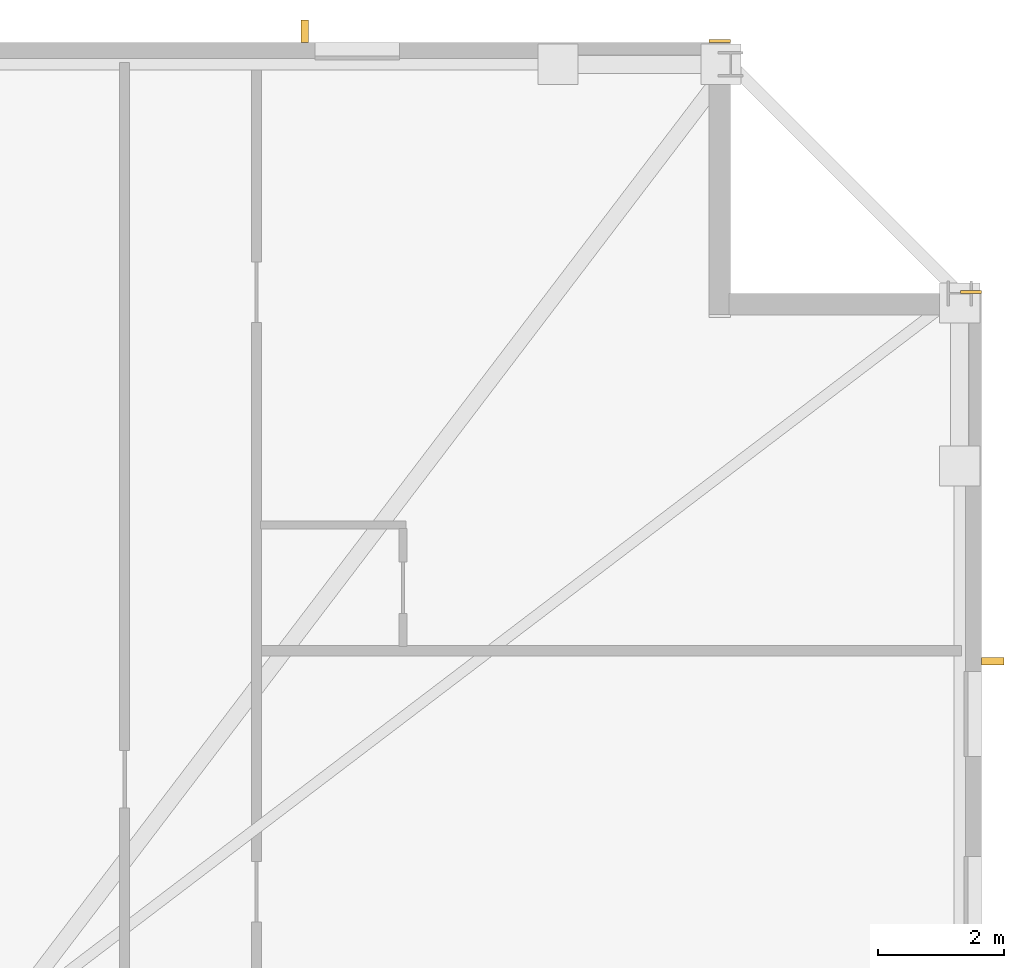
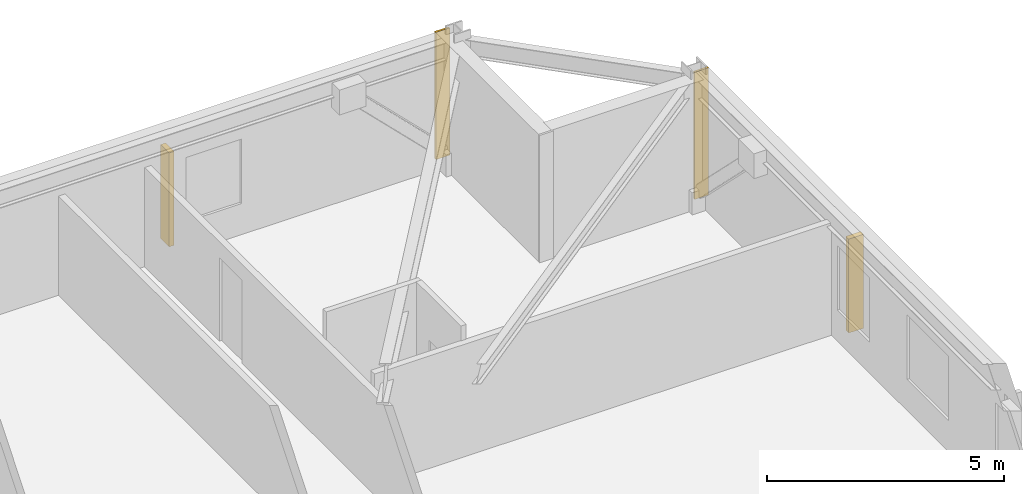
# One storey, part 10 of 10: 2 coverings, 2 shading devices.
"""IFC4 building model written with IfcOpenShell, lengths in metres."""

from ifc_helpers import new_model, si_unit, direction, frame, frame_2d, origin, origin_2d, place, context, subcontext, project, spatial, rectangle, extrude, material, layer, layer_set, type_object, element, save


model = new_model("IFC4")

# Units and contexts
model_context = context("Model", 3, precision=1e-05, world=origin(), true_north=direction((0.0, 1.0)))
body_context = subcontext(model_context, "Body", "Model", "MODEL_VIEW")
ifc_project = project(units=[si_unit("LENGTHUNIT", "METRE"), si_unit("AREAUNIT", "SQUARE_METRE"), si_unit("VOLUMEUNIT", "CUBIC_METRE"), si_unit("PLANEANGLEUNIT", "RADIAN"), si_unit("MASSUNIT", "GRAM", prefix="KILO")], contexts=[model_context])

# Site, building, storey
site_placement = place(None, origin())
site = spatial("IfcSite", under=ifc_project, at=site_placement, CompositionType="ELEMENT")
building_placement = place(site_placement, origin())
building = spatial("IfcBuilding", under=site, at=building_placement, Name="Cairnveth Concourse Tower", CompositionType="ELEMENT")
storey_placement = place(building_placement, frame((0.0, 0.0, 183.0)))
storey = spatial("IfcBuildingStorey", under=building, at=storey_placement, Name="L50", CompositionType="ELEMENT", Elevation=183.0)

# Coverings
ifc_material_1 = material(Name="Dressed Melbourne Bluestone Cladding", Category="masonry")
ifc_layer = layer(ifc_material_1, 0.050048828125)
ifc_layer_set = layer_set([ifc_layer], Name="Dressed Melbourne Bluestone Cladding")
covering_type = type_object("IfcCoveringType", Name="DRESSED BLUESTONE PLINTH CLADDING 50", PredefinedType="CLADDING", material=ifc_layer_set)
for number, where, z_axis, x_axis, name in (
    (1, (71.659912109375, 63.02001953125, 0.0), (0.0, 0.0, 1.0), (1.0, 0.0, 0.0), "Melbourne Bluestone Corner Quoin L50-749"),
    (2, (75.659912109375, 59.02001953125, 0.0), (0.0, 0.0, 1.0), (1.0, 0.0, 0.0), "Melbourne Bluestone Corner Quoin L50-751"),
):
    element("IfcCovering", number, at=place(storey_placement, frame(where, z_axis=z_axis, x_axis=x_axis)), inside=storey, type_object=covering_type, Name=name, PredefinedType="CLADDING", context=body_context, shape_type="SweptSolid", body=[
        extrude(rectangle(XDim=0.340087890625, YDim=0.050048828125, at=frame_2d((0.169921875, 0.0))), origin(), (0.0, 0.0, 1.0), 3.280029296875),
    ])

# Shading devices
ifc_material_2 = material(Name="Architectural Bronze Anodised Aluminium 6063-T6", Category="aluminium")
shading_device_type = type_object("IfcShadingDeviceType", Name="GOTHIC BRONZE VERTICAL LANCET FIN", PredefinedType="USERDEFINED", material=ifc_material_2)
for number, where, z_axis, x_axis, name in (
    (3, (65.22021484375, 63.175048828125, 0.030029296875), (0.0, 0.0, 1.0), (1.0, 0.0, 0.0), "Gothic Bronze Vertical Fin L50-9-9"),
    (4, (76.175048828125, 53.137939453125, 0.030029296875), (0.0, 0.0, 1.0), (0.0, 1.0, 0.0), "Gothic Bronze Vertical Fin L50-12-1"),
):
    element("IfcShadingDevice", number, at=place(storey_placement, frame(where, z_axis=z_axis, x_axis=x_axis)), inside=storey, type_object=shading_device_type, Name=name, ObjectType="VERTICAL FIN", PredefinedType="USERDEFINED", context=body_context, shape_type="SweptSolid", body=[
        extrude(rectangle(XDim=0.1201171875, YDim=0.360107421875, at=origin_2d()), origin(), (0.0, 0.0, 1.0), 2.419921875),
    ])

save(model, "model.ifc")
